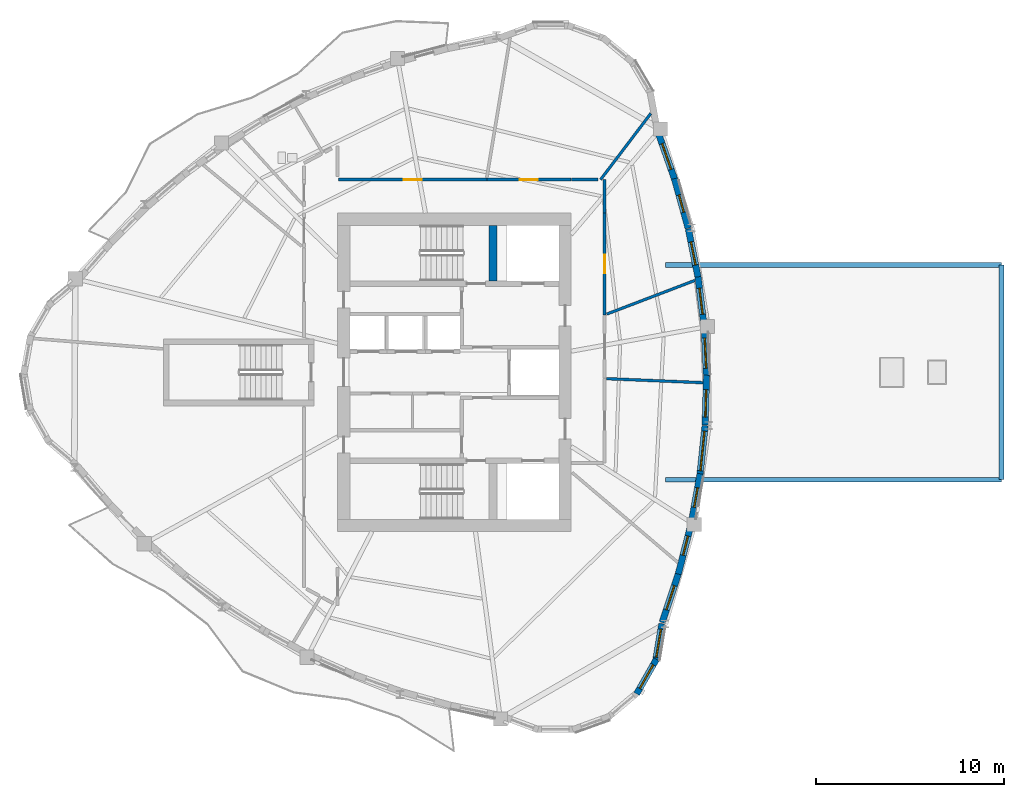
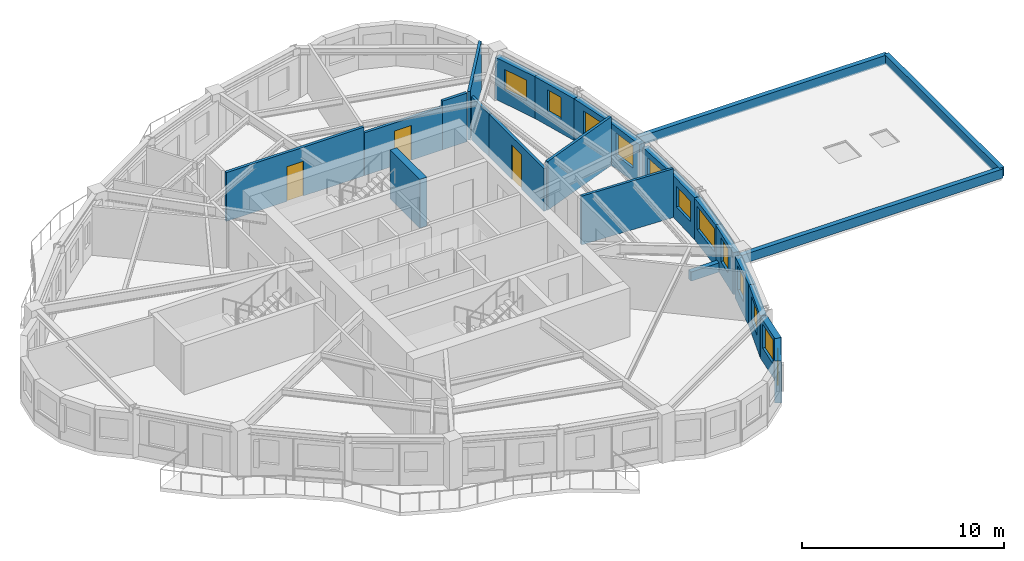
# One storey, part 6 of 11: 24 walls, 12 windows, 3 doors, 15 openings.
"""IFC4 building model written with IfcOpenShell, lengths in metres."""

import ifcopenshell
import ifcopenshell.guid

model = None  # the IFC model being written
_history = None  # IfcOwnerHistory: only IFC2X3 demands one
_inside = {}  # id of a spatial element -> (the spatial element, [elements in it])
_under = {}  # id of a project, library or spatial element -> (it, [spatial elements below it])
_declared = {}  # id of a project -> (the project, [libraries it declares])
_typed = {}  # id of a type object -> (the type object, [elements of that type])
_made_of = {}  # id of a material, layer set ... -> (it, [elements and type objects made of it])


def new_model(schema):
    """Start an empty IFC model of exactly this schema.

    Asked for "IFC4X3", IfcOpenShell would pick the latest addendum, in which some entities
    have other attributes; the version numbers below select the first issue.
    IFC2X3 requires an IfcOwnerHistory on every rooted entity: one is made here for all.
    """
    global model, _history
    if schema == "IFC4X3":
        model = ifcopenshell.file(schema_version=(4, 3, 0, 0))
    else:
        model = ifcopenshell.file(schema=schema)
    _inside.clear()
    _under.clear()
    _declared.clear()
    _typed.clear()
    _made_of.clear()
    _history = None
    if model.schema == "IFC2X3":
        org = make("IfcOrganization", Name="unknown")
        user = make(
            "IfcPersonAndOrganization",
            ThePerson=make("IfcPerson", FamilyName="unknown"),
            TheOrganization=org,
        )
        app = make(
            "IfcApplication",
            ApplicationDeveloper=org,
            Version="unknown",
            ApplicationFullName="unknown",
            ApplicationIdentifier="unknown",
        )
        _history = make(
            "IfcOwnerHistory",
            OwningUser=user,
            OwningApplication=app,
            ChangeAction="ADDED",
            CreationDate=0,
        )
    return model


def make(cls, **values):
    """One entity of the class cls with the attributes given. An attribute that is None is left unset."""
    return model.create_entity(
        cls, **{name: value for name, value in values.items() if value is not None}
    )


def rooted(cls, **values):
    """An entity with a GlobalId (a new one), such as an element, a storey or a relation."""
    return make(cls, GlobalId=ifcopenshell.guid.new(), OwnerHistory=_history, **values)


def si_unit(unit_type, name, prefix=None):
    """IfcSIUnit, for example si_unit("LENGTHUNIT", "METRE", prefix="MILLI")."""
    return make("IfcSIUnit", UnitType=unit_type, Prefix=prefix, Name=name)


def assignment(units):
    """IfcUnitAssignment: the units of a project."""
    return None if units is None else make("IfcUnitAssignment", Units=units)


def point(xyz):
    """IfcCartesianPoint."""
    return None if xyz is None else make("IfcCartesianPoint", Coordinates=xyz)


def direction(xyz):
    """IfcDirection."""
    return None if xyz is None else make("IfcDirection", DirectionRatios=xyz)


def frame(location, z_axis=None, x_axis=None):
    """IfcAxis2Placement3D, a coordinate frame: its origin and axes. An axis left out is left unset."""
    return make(
        "IfcAxis2Placement3D",
        Location=point(location),
        Axis=direction(z_axis),
        RefDirection=direction(x_axis),
    )


def frame_2d(location, x_axis=None):
    """IfcAxis2Placement2D, a coordinate frame in the plane: its origin and x axis."""
    return make(
        "IfcAxis2Placement2D", Location=point(location), RefDirection=direction(x_axis)
    )


def origin():
    """The frame at (0, 0, 0) with its axes left unset."""
    return frame((0.0, 0.0, 0.0))


def place(relative_to, where):
    """IfcLocalPlacement: puts the frame where relative to a parent placement (None: the world)."""
    return make(
        "IfcLocalPlacement", PlacementRelTo=relative_to, RelativePlacement=where
    )


def context(
    kind, dimensions, precision=None, world=None, true_north=None, identifier=None
):
    """IfcGeometricRepresentationContext, for example the 3D "Model" context."""
    return make(
        "IfcGeometricRepresentationContext",
        ContextIdentifier=identifier,
        ContextType=kind,
        CoordinateSpaceDimension=dimensions,
        Precision=precision,
        WorldCoordinateSystem=world,
        TrueNorth=true_north,
    )


def subcontext(parent, identifier, kind, view, scale=None):
    """IfcGeometricRepresentationSubContext, for example "Body" below "Model"."""
    return make(
        "IfcGeometricRepresentationSubContext",
        ContextIdentifier=identifier,
        ContextType=kind,
        ParentContext=parent,
        TargetScale=scale,
        TargetView=view,
    )


def project(units=None, contexts=None):
    """IfcProject with its units and contexts."""
    return rooted(
        "IfcProject",
        Name="project",
        RepresentationContexts=contexts,
        UnitsInContext=assignment(units),
    )


def spatial(cls, under=None, at=None, **own):
    """A site, building, storey or space (cls), placed at a placement, below another one or the project."""
    s = rooted(cls, ObjectPlacement=at, **own)
    if under is not None:
        _under.setdefault(under.id(), (under, []))[1].append(s)
    return s


def profile(cls, at=None, kind="AREA", **sizes):
    """A parametric profile (cls). Its sizes go by their IFC names, for example OverallWidth=200.0."""
    return make(cls, ProfileType=kind, Position=at, **sizes)


def rectangle(**sizes):
    """IfcRectangleProfileDef."""
    return profile("IfcRectangleProfileDef", **sizes)


def extrude(swept, where, along, depth):
    """IfcExtrudedAreaSolid: the profile swept, set in the frame where, extruded along a direction by depth."""
    return make(
        "IfcExtrudedAreaSolid",
        SweptArea=swept,
        Position=where,
        ExtrudedDirection=direction(along),
        Depth=depth,
    )


def shape(context_of_items, identifier, shape_type, items):
    """IfcShapeRepresentation: the items that make up one representation, for example the "Body"."""
    return make(
        "IfcShapeRepresentation",
        ContextOfItems=context_of_items,
        RepresentationIdentifier=identifier,
        RepresentationType=shape_type,
        Items=items,
    )


def source(mapping_origin, context_of_items, identifier, shape_type, items):
    """IfcRepresentationMap: a shape defined once, which mapped items show again and again."""
    return make(
        "IfcRepresentationMap",
        MappingOrigin=mapping_origin,
        MappedRepresentation=shape(context_of_items, identifier, shape_type, items),
    )


def transform(
    local_origin,
    x_axis=None,
    y_axis=None,
    z_axis=None,
    scale=None,
    scale2=None,
    scale3=None,
    uniform=True,
):
    """IfcCartesianTransformationOperator3D, or its non-uniform kind. x_axis, y_axis, z_axis: its Axis1, 2, 3."""
    if uniform:
        return make(
            "IfcCartesianTransformationOperator3D",
            Axis1=direction(x_axis),
            Axis2=direction(y_axis),
            LocalOrigin=point(local_origin),
            Scale=scale,
            Axis3=direction(z_axis),
        )
    return make(
        "IfcCartesianTransformationOperator3DnonUniform",
        Axis1=direction(x_axis),
        Axis2=direction(y_axis),
        LocalOrigin=point(local_origin),
        Scale=scale,
        Axis3=direction(z_axis),
        Scale2=scale2,
        Scale3=scale3,
    )


def mapped(mapping_source, mapping_target):
    """IfcMappedItem: shows the shape of a source again, moved by a transform."""
    return make(
        "IfcMappedItem", MappingSource=mapping_source, MappingTarget=mapping_target
    )


def material(Name=None, Category=None):
    """IfcMaterial."""
    return make("IfcMaterial", Name=Name, Category=Category)


def layer(
    of_material, thickness, ventilated=None, Name=None, Category=None, Priority=None
):
    """IfcMaterialLayer: one layer of a wall or slab, of a material (None: an air gap)."""
    return make(
        "IfcMaterialLayer",
        Material=of_material,
        LayerThickness=thickness,
        IsVentilated=ventilated,
        Name=Name,
        Category=Category,
        Priority=Priority,
    )


def layer_set(layers, Name=None):
    """IfcMaterialLayerSet."""
    return make("IfcMaterialLayerSet", MaterialLayers=layers, LayerSetName=Name)


def made_of(thing, what):
    """Note that an element or type object is made of a material, layer set ...; save() writes the relation."""
    if what is not None:
        _made_of.setdefault(what.id(), (what, []))[1].append(thing)
    return thing


def type_object(cls, material=None, **own):
    """A type object (cls), such as IfcWallType, which elements share."""
    return made_of(rooted(cls, **own), material)


def element(
    cls,
    number,
    at=None,
    inside=None,
    cuts=None,
    type_object=None,
    material=None,
    context=None,
    identifier="Body",
    shape_type=None,
    held_by="IfcProductDefinitionShape",
    body=None,
    shapes=None,
    **own,
):
    """One element of the class cls, such as IfcWall. Its Tag is "e" and its number.

    at: its placement. inside: the storey or other place that contains it. cuts: it is an
    opening in that element (IfcRelVoidsElement). A single representation is given by context,
    identifier, shape_type and body (its items); several are given by shapes. held_by: the class
    of the entity that holds the representations. save() writes the other relations.
    """
    e = rooted(cls, Tag="e%d" % number, ObjectPlacement=at, **own)
    if body is not None:
        shapes = [shape(context, identifier, shape_type, body)]
    if shapes is not None:
        e.Representation = make(held_by, Representations=shapes)
    if inside is not None:
        _inside.setdefault(inside.id(), (inside, []))[1].append(e)
    if cuts is not None:
        rooted(
            "IfcRelVoidsElement", RelatingBuildingElement=cuts, RelatedOpeningElement=e
        )
    if type_object is not None:
        _typed.setdefault(type_object.id(), (type_object, []))[1].append(e)
    return made_of(e, material)


def fill(opening, filler):
    """IfcRelFillsElement: the door or window that sits in an opening."""
    return rooted(
        "IfcRelFillsElement",
        RelatingOpeningElement=opening,
        RelatedBuildingElement=filler,
    )


def aggregate(whole, parts):
    """IfcRelAggregates: a whole, such as a stair, and the parts it consists of."""
    return rooted("IfcRelAggregates", RelatingObject=whole, RelatedObjects=parts)


def save(model, path):
    """Write the relations noted so far, then the file.

    IfcRelAggregates (storeys below a building ...), IfcRelContainedInSpatialStructure (elements
    in a storey), IfcRelDefinesByType, IfcRelAssociatesMaterial and IfcRelDeclares: one each for
    every whole, place, type object, material and project.
    """
    for whole, parts in _under.values():
        aggregate(whole, parts)
    for where, things in _inside.values():
        rooted(
            "IfcRelContainedInSpatialStructure",
            RelatedElements=things,
            RelatingStructure=where,
        )
    for kind, things in _typed.values():
        rooted("IfcRelDefinesByType", RelatedObjects=things, RelatingType=kind)
    for what, things in _made_of.values():
        rooted("IfcRelAssociatesMaterial", RelatedObjects=things, RelatingMaterial=what)
    for by, libraries in _declared.values():
        rooted("IfcRelDeclares", RelatingContext=by, RelatedDefinitions=libraries)
    model.write(path)


model = new_model("IFC4")

# Units and contexts
model_context = context("Model", 3, precision=1e-05, world=origin(), true_north=direction((0.0, 1.0)))
body_context = subcontext(model_context, "Body", "Model", "MODEL_VIEW")
ifc_project = project(units=[si_unit("LENGTHUNIT", "METRE"), si_unit("AREAUNIT", "SQUARE_METRE"), si_unit("VOLUMEUNIT", "CUBIC_METRE"), si_unit("PLANEANGLEUNIT", "RADIAN"), si_unit("MASSUNIT", "GRAM", prefix="KILO")], contexts=[model_context])

# Site, building, storey
site_placement = place(None, origin())
site = spatial("IfcSite", under=ifc_project, at=site_placement, CompositionType="ELEMENT")
building_placement = place(site_placement, origin())
building = spatial("IfcBuilding", under=site, at=building_placement, Name="Qafzar Sky-Pleat Residences", CompositionType="ELEMENT")
storey_placement = place(building_placement, frame((0.0, 0.0, 161.800048828125)))
storey = spatial("IfcBuildingStorey", under=building, at=storey_placement, Name="L48", CompositionType="ELEMENT", Elevation=161.800048828125)

# Wall, opening, door
ifc_material_1 = material(Name="Acoustic gypsum plasterboard partition", Category="gypsum")
ifc_layer_1 = layer(ifc_material_1, 0.159912109375)
ifc_layer_set_1 = layer_set([ifc_layer_1], Name="Acoustic gypsum plasterboard partition")
wall_type_1 = type_object("IfcWallType", Name="PART-COR-160", PredefinedType="PARTITIONING", material=ifc_layer_set_1)
wall_1_placement = place(storey_placement, frame((24.200927734375, 36.22998046875, 0.0), z_axis=(0.0, 0.0, 1.0), x_axis=(1.0, 0.0, 0.0)))
wall_1 = element("IfcWall", 1, at=wall_1_placement, inside=storey, type_object=wall_type_1, Name="L48 Partition Wall PART-L48-PW-002", PredefinedType="PARTITIONING", context=body_context, shape_type="SweptSolid", body=[
    extrude(rectangle(XDim=7.8681640625, YDim=0.159912109375, at=frame_2d((3.93408203125, 0.0))), origin(), (0.0, 0.0, 1.0), 2.949951171875),
])
opening_1_placement = place(wall_1_placement, frame((3.45556640625, 0.0, 0.0)))
opening_1 = element("IfcOpeningElement", 2, at=opening_1_placement, cuts=wall_1, Name="Opening ID-06", PredefinedType="OPENING", context=body_context, shape_type="SweptSolid", body=[
    extrude(rectangle(XDim=0.9599609375, YDim=2.10009765625, at=frame_2d((0.47998046875, 1.050048828125))), frame((0.0, 0.08984375, 0.0), z_axis=(0.0, -1.0, 0.0), x_axis=(1.0, 0.0, 0.0)), (0.0, 0.0, 1.0), 0.179931640625),
])
ifc_material_2 = material(Name="Timber-faced fire door", Category="wood")
door_type = type_object("IfcDoorType", Name="DR-STD-960", OperationType="NOTDEFINED", PredefinedType="DOOR", material=ifc_material_2)
shared_shape_1 = source(origin(), body_context, "Body", "SweptSolid", [
    extrude(rectangle(XDim=0.9599609375, YDim=2.10009765625, at=frame_2d((0.47998046875, 1.050048828125))), frame((0.0, 0.02490234375, 0.0), z_axis=(0.0, -1.0, 0.0), x_axis=(1.0, 0.0, 0.0)), (0.0, 0.0, 1.0), 0.050048828125),
])
door_1_placement = place(opening_1_placement, origin())
door_1 = element("IfcDoor", 3, at=door_1_placement, inside=storey, type_object=door_type, Name="L48 Postdoctoral Admin Office Door", OperationType="SINGLE_SWING_RIGHT", OverallHeight=2.10009765625, OverallWidth=0.9599609375, PredefinedType="DOOR", context=body_context, shape_type="MappedRepresentation", body=[
    mapped(shared_shape_1, transform((0.0, 0.0, 0.0), x_axis=(1.0, 0.0, 0.0), y_axis=(0.0, 1.0, 0.0), z_axis=(0.0, 0.0, 1.0), scale=1.0)),
])
fill(opening_1, door_1)

wall_2_placement = place(storey_placement, frame((38.330078125, 34.449951171875, 0.0), z_axis=(0.0, 0.0, 1.0), x_axis=(0.0, -1.0, 0.0)))
wall_2 = element("IfcWall", 4, at=wall_2_placement, inside=storey, type_object=wall_type_1, Name="L48 Partition Wall PART-L48-PW-003", PredefinedType="PARTITIONING", context=body_context, shape_type="SweptSolid", body=[
    extrude(rectangle(XDim=5.416015625, YDim=0.159912109375, at=frame_2d((2.7080078125, 0.0))), origin(), (0.0, 0.0, 1.0), 2.587890625),
])
opening_2_placement = place(wall_2_placement, frame((2.220458984375, 0.0, 0.0)))
opening_2 = element("IfcOpeningElement", 5, at=opening_2_placement, cuts=wall_2, Name="Opening ID-06", PredefinedType="OPENING", context=body_context, shape_type="SweptSolid", body=[
    extrude(rectangle(XDim=0.9599609375, YDim=2.10009765625, at=frame_2d((0.47998046875, 1.050048828125))), frame((0.0, 0.08984375, 0.0), z_axis=(0.0, -1.0, 0.0), x_axis=(1.0, 0.0, 0.0)), (0.0, 0.0, 1.0), 0.179931640625),
])
door_2_placement = place(opening_2_placement, origin())
door_2 = element("IfcDoor", 6, at=door_2_placement, inside=storey, type_object=door_type, Name="L48 Media Screening Room Door", OperationType="SINGLE_SWING_LEFT", OverallHeight=2.10009765625, OverallWidth=0.9599609375, PredefinedType="DOOR", context=body_context, shape_type="MappedRepresentation", body=[
    mapped(shared_shape_1, transform((0.0, 0.0, 0.0), x_axis=(1.0, 0.0, 0.0), y_axis=(0.0, 1.0, 0.0), z_axis=(0.0, 0.0, 1.0), scale=1.0)),
])
fill(opening_2, door_2)

wall_3_placement = place(storey_placement, frame((32.083984375, 36.22998046875, 0.0), z_axis=(0.0, 0.0, 1.0), x_axis=(1.0, 0.0, 0.0)))
wall_3 = element("IfcWall", 7, at=wall_3_placement, inside=storey, type_object=wall_type_1, Name="L48 Partition Wall PART-L48-PW-006", PredefinedType="PARTITIONING", context=body_context, shape_type="SweptSolid", body=[
    extrude(rectangle(XDim=4.466064453125, YDim=0.159912109375, at=frame_2d((2.23291015625, 0.0))), origin(), (0.0, 0.0, 1.0), 2.587890625),
])
opening_3_placement = place(wall_3_placement, frame((1.738037109375, 0.0, 0.0)))
opening_3 = element("IfcOpeningElement", 8, at=opening_3_placement, cuts=wall_3, Name="Opening ID-06", PredefinedType="OPENING", context=body_context, shape_type="SweptSolid", body=[
    extrude(rectangle(XDim=0.9599609375, YDim=2.10009765625, at=frame_2d((0.47998046875, 1.050048828125))), frame((0.0, 0.08984375, 0.0), z_axis=(0.0, -1.0, 0.0), x_axis=(1.0, 0.0, 0.0)), (0.0, 0.0, 1.0), 0.179931640625),
])
door_3_placement = place(opening_3_placement, origin())
door_3 = element("IfcDoor", 9, at=door_3_placement, inside=storey, type_object=door_type, Name="L48 Reading Library Door", OperationType="SINGLE_SWING_RIGHT", OverallHeight=2.10009765625, OverallWidth=0.9599609375, PredefinedType="DOOR", context=body_context, shape_type="MappedRepresentation", body=[
    mapped(shared_shape_1, transform((0.0, 0.0, 0.0), x_axis=(1.0, 0.0, 0.0), y_axis=(0.0, 1.0, 0.0), z_axis=(0.0, 0.0, 1.0), scale=1.0)),
])
fill(opening_3, door_3)

# Walls
wall_4_placement = place(storey_placement, frame((38.330078125, 34.465087890625, 0.0), z_axis=(0.0, 0.0, 1.0), x_axis=(0.0, 1.0, 0.0)))
element("IfcWall", 10, at=wall_4_placement, inside=storey, type_object=wall_type_1, Name="L48 Partition Wall PART-L48-PW-022", PredefinedType="PARTITIONING", context=body_context, shape_type="SweptSolid", body=[
    extrude(rectangle(XDim=1.764892578125, YDim=0.159912109375, at=frame_2d((0.88232421875, 0.0))), origin(), (0.0, 0.0, 1.0), 2.587890625),
])
wall_5_placement = place(storey_placement, frame((36.56494140625, 36.22998046875, 0.0), z_axis=(0.0, 0.0, 1.0), x_axis=(1.0, 0.0, 0.0)))
element("IfcWall", 11, at=wall_5_placement, inside=storey, type_object=wall_type_1, Name="L48 Partition Wall PART-L48-PW-024", PredefinedType="PARTITIONING", context=body_context, shape_type="SweptSolid", body=[
    extrude(rectangle(XDim=1.40625, YDim=0.159912109375, at=frame_2d((0.703125, 0.0))), origin(), (0.0, 0.0, 1.0), 2.949951171875),
])
ifc_layer_2 = layer(ifc_material_1, 0.14501953125)
ifc_layer_set_2 = layer_set([ifc_layer_2], Name="Acoustic gypsum plasterboard partition")
wall_type_2 = type_object("IfcWallType", Name="PART-UNIT-145", PredefinedType="PARTITIONING", material=ifc_layer_set_2)
wall_6_placement = place(storey_placement, frame((38.4208984375, 25.664306640625, 0.0), z_axis=(0.0, 0.0, 1.0), x_axis=(0.999132413059, -0.041646382499, 0.0)))
element("IfcWall", 12, at=wall_6_placement, inside=storey, type_object=wall_type_2, Name="L48 Partition Wall PART-L48-PW-015", PredefinedType="PARTITIONING", context=body_context, shape_type="SweptSolid", body=[
    extrude(rectangle(XDim=5.12939453125, YDim=0.14501953125, at=frame_2d((2.564697265625, 0.0))), origin(), (0.0, 0.0, 1.0), 2.949951171875),
])
wall_7_placement = place(storey_placement, frame((38.443359375, 29.09228515625, 0.0), z_axis=(0.0, 0.0, 1.0), x_axis=(0.934064302859, 0.357104855923, 0.0)))
element("IfcWall", 13, at=wall_7_placement, inside=storey, type_object=wall_type_2, Name="L48 Partition Wall PART-L48-PW-016", PredefinedType="PARTITIONING", context=body_context, shape_type="SweptSolid", body=[
    extrude(rectangle(XDim=4.994873046875, YDim=0.14501953125, at=frame_2d((2.49755859375, 0.0))), origin(), (0.0, 0.0, 1.0), 2.949951171875),
])
wall_8_placement = place(storey_placement, frame((38.112060546875, 36.22998046875, 0.0), z_axis=(0.0, 0.0, 1.0), x_axis=(0.604495658019, 0.796608435453, 0.0)))
element("IfcWall", 14, at=wall_8_placement, inside=storey, type_object=wall_type_2, Name="L48 Partition Wall PART-L48-PW-018", PredefinedType="PARTITIONING", context=body_context, shape_type="SweptSolid", body=[
    extrude(rectangle(XDim=4.404541015625, YDim=0.14501953125, at=frame_2d((2.2021484375, 0.0))), origin(), (0.0, 0.0, 1.0), 2.949951171875),
])
ifc_material_3 = material(Name="Precast concrete C40/50 with honed Riyadh limestone", Category="concrete")
ifc_layer_3 = layer(ifc_material_3, 0.260009765625)
ifc_layer_set_3 = layer_set([ifc_layer_3], Name="Precast concrete C40/50 with honed Riyadh limestone")
wall_type_3 = type_object("IfcWallType", Name="WALL-EXT-260", PredefinedType="PARAPET", material=ifc_layer_set_3)
wall_9_placement = place(storey_placement, frame((41.550048828125, 20.300048828125, 0.0), z_axis=(0.0, 0.0, 1.0), x_axis=(1.0, 0.0, 0.0)))
element("IfcWall", 15, at=wall_9_placement, inside=storey, type_object=wall_type_3, Name="L48 SB-4 Roof Parapet 1", PredefinedType="PARAPET", context=body_context, shape_type="SweptSolid", body=[
    extrude(rectangle(XDim=17.842529296875, YDim=0.260009765625, at=frame_2d((8.92138671875, 0.0))), origin(), (0.0, 0.0, 1.0), 0.550048828125),
])
wall_10_placement = place(storey_placement, frame((59.392578125, 20.300048828125, 0.0), z_axis=(0.0, 0.0, 1.0), x_axis=(0.0, 1.0, 0.0)))
element("IfcWall", 16, at=wall_10_placement, inside=storey, type_object=wall_type_3, Name="L48 SB-4 Roof Parapet 2", PredefinedType="PARAPET", context=body_context, shape_type="SweptSolid", body=[
    extrude(rectangle(XDim=11.39990234375, YDim=0.260009765625, at=frame_2d((5.699951171875, 0.0))), origin(), (0.0, 0.0, 1.0), 0.550048828125),
])
wall_11_placement = place(storey_placement, frame((59.392578125, 31.699951171875, 0.0), z_axis=(0.0, 0.0, 1.0), x_axis=(-1.0, 0.0, 0.0)))
element("IfcWall", 17, at=wall_11_placement, inside=storey, type_object=wall_type_3, Name="L48 SB-4 Roof Parapet 3", PredefinedType="PARAPET", context=body_context, shape_type="SweptSolid", body=[
    extrude(rectangle(XDim=17.842529296875, YDim=0.260009765625, at=frame_2d((8.92138671875, 0.0))), origin(), (0.0, 0.0, 1.0), 0.550048828125),
])

# Wall, opening, window
ifc_layer_4 = layer(ifc_material_3, 0.340087890625)
ifc_layer_set_4 = layer_set([ifc_layer_4], Name="Precast concrete C40/50 with honed Riyadh limestone")
wall_type_4 = type_object("IfcWallType", Name="WALL-EXT-340", PredefinedType="SOLIDWALL", material=ifc_layer_set_4)
wall_12_placement = place(storey_placement, frame((40.02685546875, 8.934326171875, 0.0), z_axis=(0.0, 0.0, 1.0), x_axis=(0.495852152567, 0.868406956901, 0.0)))
wall_12 = element("IfcWall", 18, at=wall_12_placement, inside=storey, type_object=wall_type_4, Name="L48 Limestone Facade Wall 21", PredefinedType="SOLIDWALL", context=body_context, shape_type="SweptSolid", body=[
    extrude(rectangle(XDim=2.10888671875, YDim=0.340087890625, at=frame_2d((1.054443359375, 0.0))), origin(), (0.0, 0.0, 1.0), 2.530029296875),
])
opening_4_placement = place(wall_12_placement, frame((0.329345703125, 0.0, 0.820068359375)))
opening_4 = element("IfcOpeningElement", 19, at=opening_4_placement, cuts=wall_12, Name="Opening WN-15", PredefinedType="OPENING", context=body_context, shape_type="SweptSolid", body=[
    extrude(rectangle(XDim=1.449951171875, YDim=1.25, at=frame_2d((0.72509765625, 0.625))), frame((0.0, 0.18017578125, 0.0), z_axis=(0.0, -1.0, 0.0), x_axis=(1.0, 0.0, 0.0)), (0.0, 0.0, 1.0), 0.360107421875),
])
ifc_material_4 = material(Name="Solar-control low-E glass in bronze aluminium frame", Category="glass")
window_type_1 = type_object("IfcWindowType", Name="WIN-15", PartitioningType="SINGLE_PANEL", PredefinedType="WINDOW", material=ifc_material_4)
shared_shape_2 = source(origin(), body_context, "Body", "SweptSolid", [
    extrude(rectangle(XDim=1.449951171875, YDim=1.25, at=frame_2d((0.72509765625, 0.625))), frame((0.0, 0.030029296875, 0.0), z_axis=(0.0, -1.0, 0.0), x_axis=(1.0, 0.0, 0.0)), (0.0, 0.0, 1.0), 0.06005859375),
])
window_1_placement = place(opening_4_placement, origin())
window_1 = element("IfcWindow", 20, at=window_1_placement, inside=storey, type_object=window_type_1, Name="L48 Punched Facade Window 21", OverallHeight=1.25, OverallWidth=1.449951171875, PartitioningType="SINGLE_PANEL", PredefinedType="WINDOW", context=body_context, shape_type="MappedRepresentation", body=[
    mapped(shared_shape_2, transform((0.0, 0.0, 0.0), x_axis=(1.0, 0.0, 0.0), y_axis=(0.0, 1.0, 0.0), z_axis=(0.0, 0.0, 1.0), scale=1.0)),
])
fill(opening_4, window_1)

wall_13_placement = place(storey_placement, frame((41.02734375, 10.63916015625, 0.0), z_axis=(0.0, 0.0, 1.0), x_axis=(0.165595781399, 0.986193711794, 0.0)))
wall_13 = element("IfcWall", 21, at=wall_13_placement, inside=storey, type_object=wall_type_4, Name="L48 Limestone Facade Wall 22", PredefinedType="SOLIDWALL", context=body_context, shape_type="SweptSolid", body=[
    extrude(rectangle(XDim=2.05078125, YDim=0.340087890625, at=frame_2d((1.025390625, 0.0))), origin(), (0.0, 0.0, 1.0), 2.530029296875),
])
opening_5_placement = place(wall_13_placement, frame((0.245361328125, 0.0, 0.820068359375)))
opening_5 = element("IfcOpeningElement", 22, at=opening_5_placement, cuts=wall_13, Name="Opening WN-03", PredefinedType="OPENING", context=body_context, shape_type="SweptSolid", body=[
    extrude(rectangle(XDim=1.5, YDim=1.449951171875, at=frame_2d((0.75, 0.72509765625))), frame((0.0, 0.18017578125, 0.0), z_axis=(0.0, -1.0, 0.0), x_axis=(1.0, 0.0, 0.0)), (0.0, 0.0, 1.0), 0.360107421875),
])
window_type_2 = type_object("IfcWindowType", Name="WIN-03", PartitioningType="DOUBLE_PANEL_VERTICAL", PredefinedType="WINDOW", material=ifc_material_4)
shared_shape_3 = source(origin(), body_context, "Body", "SweptSolid", [
    extrude(rectangle(XDim=1.5, YDim=1.449951171875, at=frame_2d((0.75, 0.72509765625))), frame((0.0, 0.030029296875, 0.0), z_axis=(0.0, -1.0, 0.0), x_axis=(1.0, 0.0, 0.0)), (0.0, 0.0, 1.0), 0.06005859375),
])
window_2_placement = place(opening_5_placement, origin())
window_2 = element("IfcWindow", 23, at=window_2_placement, inside=storey, type_object=window_type_2, Name="L48 Punched Facade Window 22", OverallHeight=1.449951171875, OverallWidth=1.5, PartitioningType="SINGLE_PANEL", PredefinedType="WINDOW", context=body_context, shape_type="MappedRepresentation", body=[
    mapped(shared_shape_3, transform((0.0, 0.0, 0.0), x_axis=(1.0, 0.0, 0.0), y_axis=(0.0, 1.0, 0.0), z_axis=(0.0, 0.0, 1.0), scale=1.0)),
])
fill(opening_5, window_2)

wall_14_placement = place(storey_placement, frame((41.3828125, 12.7255859375, 0.0), z_axis=(0.0, 0.0, 1.0), x_axis=(0.314443872574, 0.949276066801, 0.0)))
wall_14 = element("IfcWall", 24, at=wall_14_placement, inside=storey, type_object=wall_type_4, Name="L48 Limestone Facade Wall 23", PredefinedType="SOLIDWALL", context=body_context, shape_type="SweptSolid", body=[
    extrude(rectangle(XDim=2.792724609375, YDim=0.340087890625, at=frame_2d((1.396484375, 0.0))), origin(), (0.0, 0.0, 1.0), 2.530029296875),
])
opening_6_placement = place(wall_14_placement, frame((0.71142578125, 0.0, 0.820068359375)))
opening_6 = element("IfcOpeningElement", 25, at=opening_6_placement, cuts=wall_14, Name="Opening WN-04", PredefinedType="OPENING", context=body_context, shape_type="SweptSolid", body=[
    extrude(rectangle(XDim=1.35009765625, YDim=1.449951171875, at=frame_2d((0.675048828125, 0.72509765625))), frame((0.0, 0.18017578125, 0.0), z_axis=(0.0, -1.0, 0.0), x_axis=(1.0, 0.0, 0.0)), (0.0, 0.0, 1.0), 0.360107421875),
])
window_type_3 = type_object("IfcWindowType", Name="WIN-04", PartitioningType="SINGLE_PANEL", PredefinedType="WINDOW", material=ifc_material_4)
shared_shape_4 = source(origin(), body_context, "Body", "SweptSolid", [
    extrude(rectangle(XDim=1.35009765625, YDim=1.449951171875, at=frame_2d((0.675048828125, 0.72509765625))), frame((0.0, 0.030029296875, 0.0), z_axis=(0.0, -1.0, 0.0), x_axis=(1.0, 0.0, 0.0)), (0.0, 0.0, 1.0), 0.06005859375),
])
window_3_placement = place(opening_6_placement, origin())
window_3 = element("IfcWindow", 26, at=window_3_placement, inside=storey, type_object=window_type_3, Name="L48 Punched Facade Window 23", OverallHeight=1.449951171875, OverallWidth=1.35009765625, PartitioningType="SINGLE_PANEL", PredefinedType="WINDOW", context=body_context, shape_type="MappedRepresentation", body=[
    mapped(shared_shape_4, transform((0.0, 0.0, 0.0), x_axis=(1.0, 0.0, 0.0), y_axis=(0.0, 1.0, 0.0), z_axis=(0.0, 0.0, 1.0), scale=1.0)),
])
fill(opening_6, window_3)

wall_15_placement = place(storey_placement, frame((42.236328125, 15.29248046875, 0.0), z_axis=(0.0, 0.0, 1.0), x_axis=(0.24772461275, 0.968830488908, 0.0)))
wall_15 = element("IfcWall", 27, at=wall_15_placement, inside=storey, type_object=wall_type_4, Name="L48 Limestone Facade Wall 24", PredefinedType="SOLIDWALL", context=body_context, shape_type="SweptSolid", body=[
    extrude(rectangle(XDim=2.599853515625, YDim=0.340087890625, at=frame_2d((1.2998046875, 0.0))), origin(), (0.0, 0.0, 1.0), 2.530029296875),
])
opening_7_placement = place(wall_15_placement, frame((1.03271484375, 0.0, 0.820068359375)))
opening_7 = element("IfcOpeningElement", 28, at=opening_7_placement, cuts=wall_15, Name="Opening WN-06", PredefinedType="OPENING", context=body_context, shape_type="SweptSolid", body=[
    extrude(rectangle(XDim=1.050048828125, YDim=1.449951171875, at=frame_2d((0.52490234375, 0.72509765625))), frame((0.0, 0.18017578125, 0.0), z_axis=(0.0, -1.0, 0.0), x_axis=(1.0, 0.0, 0.0)), (0.0, 0.0, 1.0), 0.360107421875),
])
window_type_4 = type_object("IfcWindowType", Name="WIN-06", PartitioningType="SINGLE_PANEL", PredefinedType="WINDOW", material=ifc_material_4)
shared_shape_5 = source(origin(), body_context, "Body", "SweptSolid", [
    extrude(rectangle(XDim=1.050048828125, YDim=1.449951171875, at=frame_2d((0.52490234375, 0.72509765625))), frame((0.0, 0.030029296875, 0.0), z_axis=(0.0, -1.0, 0.0), x_axis=(1.0, 0.0, 0.0)), (0.0, 0.0, 1.0), 0.06005859375),
])
window_4_placement = place(opening_7_placement, origin())
window_4 = element("IfcWindow", 29, at=window_4_placement, inside=storey, type_object=window_type_4, Name="L48 Punched Facade Window 24-2", OverallHeight=1.449951171875, OverallWidth=1.050048828125, PartitioningType="SINGLE_PANEL", PredefinedType="WINDOW", context=body_context, shape_type="MappedRepresentation", body=[
    mapped(shared_shape_5, transform((0.0, 0.0, 0.0), x_axis=(1.0, 0.0, 0.0), y_axis=(0.0, 1.0, 0.0), z_axis=(0.0, 0.0, 1.0), scale=1.0)),
])
fill(opening_7, window_4)

wall_16_placement = place(storey_placement, frame((42.943603515625, 18.10205078125, 0.0), z_axis=(0.0, 0.0, 1.0), x_axis=(0.177119685378, 0.98418931972, 0.0)))
wall_16 = element("IfcWall", 30, at=wall_16_placement, inside=storey, type_object=wall_type_4, Name="L48 Limestone Facade Wall 25", PredefinedType="SOLIDWALL", context=body_context, shape_type="SweptSolid", body=[
    extrude(rectangle(XDim=2.555419921875, YDim=0.340087890625, at=frame_2d((1.27783203125, 0.0))), origin(), (0.0, 0.0, 1.0), 2.530029296875),
])
opening_8_placement = place(wall_16_placement, frame((0.747802734375, 0.0, 0.820068359375)))
opening_8 = element("IfcOpeningElement", 31, at=opening_8_placement, cuts=wall_16, Name="Opening WN-06", PredefinedType="OPENING", context=body_context, shape_type="SweptSolid", body=[
    extrude(rectangle(XDim=1.050048828125, YDim=1.449951171875, at=frame_2d((0.52490234375, 0.72509765625))), frame((0.0, 0.18017578125, 0.0), z_axis=(0.0, -1.0, 0.0), x_axis=(1.0, 0.0, 0.0)), (0.0, 0.0, 1.0), 0.360107421875),
])
window_5_placement = place(opening_8_placement, origin())
window_5 = element("IfcWindow", 32, at=window_5_placement, inside=storey, type_object=window_type_4, Name="L48 Punched Facade Window 25", OverallHeight=1.449951171875, OverallWidth=1.050048828125, PartitioningType="SINGLE_PANEL", PredefinedType="WINDOW", context=body_context, shape_type="MappedRepresentation", body=[
    mapped(shared_shape_5, transform((0.0, 0.0, 0.0), x_axis=(1.0, 0.0, 0.0), y_axis=(0.0, 1.0, 0.0), z_axis=(0.0, 0.0, 1.0), scale=1.0)),
])
fill(opening_8, window_5)

wall_17_placement = place(storey_placement, frame((43.3837890625, 20.529541015625, 0.0), z_axis=(0.0, 0.0, 1.0), x_axis=(0.103600410634, 0.994618999877, 0.0)))
wall_17 = element("IfcWall", 33, at=wall_17_placement, inside=storey, type_object=wall_type_4, Name="L48 Limestone Facade Wall 26", PredefinedType="SOLIDWALL", context=body_context, shape_type="SweptSolid", body=[
    extrude(rectangle(XDim=2.66064453125, YDim=0.340087890625, at=frame_2d((1.330322265625, 0.0))), origin(), (0.0, 0.0, 1.0), 2.530029296875),
])
opening_9_placement = place(wall_17_placement, frame((0.250244140625, 0.0, 0.820068359375)))
opening_9 = element("IfcOpeningElement", 34, at=opening_9_placement, cuts=wall_17, Name="Opening WN-07", PredefinedType="OPENING", context=body_context, shape_type="SweptSolid", body=[
    extrude(rectangle(XDim=2.10009765625, YDim=1.39990234375, at=frame_2d((1.050048828125, 0.699951171875))), frame((0.0, 0.18017578125, 0.0), z_axis=(0.0, -1.0, 0.0), x_axis=(1.0, 0.0, 0.0)), (0.0, 0.0, 1.0), 0.360107421875),
])
window_type_5 = type_object("IfcWindowType", Name="WIN-07", PartitioningType="DOUBLE_PANEL_VERTICAL", PredefinedType="WINDOW", material=ifc_material_4)
shared_shape_6 = source(origin(), body_context, "Body", "SweptSolid", [
    extrude(rectangle(XDim=2.10009765625, YDim=1.39990234375, at=frame_2d((1.050048828125, 0.699951171875))), frame((0.0, 0.030029296875, 0.0), z_axis=(0.0, -1.0, 0.0), x_axis=(1.0, 0.0, 0.0)), (0.0, 0.0, 1.0), 0.06005859375),
])
window_6_placement = place(opening_9_placement, origin())
window_6 = element("IfcWindow", 35, at=window_6_placement, inside=storey, type_object=window_type_5, Name="L48 Punched Facade Window 26", OverallHeight=1.39990234375, OverallWidth=2.10009765625, PartitioningType="SINGLE_PANEL", PredefinedType="WINDOW", context=body_context, shape_type="MappedRepresentation", body=[
    mapped(shared_shape_6, transform((0.0, 0.0, 0.0), x_axis=(1.0, 0.0, 0.0), y_axis=(0.0, 1.0, 0.0), z_axis=(0.0, 0.0, 1.0), scale=1.0)),
])
fill(opening_9, window_6)

wall_18_placement = place(storey_placement, frame((43.661376953125, 23.202880859375, 0.0), z_axis=(0.0, 0.0, 1.0), x_axis=(0.028240970376, 0.999601144253, 0.0)))
wall_18 = element("IfcWall", 36, at=wall_18_placement, inside=storey, type_object=wall_type_4, Name="L48 Limestone Facade Wall 27", PredefinedType="SOLIDWALL", context=body_context, shape_type="SweptSolid", body=[
    extrude(rectangle(XDim=2.645263671875, YDim=0.340087890625, at=frame_2d((1.32275390625, 0.0))), origin(), (0.0, 0.0, 1.0), 2.530029296875),
])
opening_10_placement = place(wall_18_placement, frame((0.4267578125, 0.0, 0.820068359375)))
opening_10 = element("IfcOpeningElement", 37, at=opening_10_placement, cuts=wall_18, Name="Opening WN-15", PredefinedType="OPENING", context=body_context, shape_type="SweptSolid", body=[
    extrude(rectangle(XDim=1.449951171875, YDim=1.25, at=frame_2d((0.72509765625, 0.625))), frame((0.0, 0.18017578125, 0.0), z_axis=(0.0, -1.0, 0.0), x_axis=(1.0, 0.0, 0.0)), (0.0, 0.0, 1.0), 0.360107421875),
])
window_7_placement = place(opening_10_placement, origin())
window_7 = element("IfcWindow", 38, at=window_7_placement, inside=storey, type_object=window_type_1, Name="L48 Punched Facade Window 27", OverallHeight=1.25, OverallWidth=1.449951171875, PartitioningType="SINGLE_PANEL", PredefinedType="WINDOW", context=body_context, shape_type="MappedRepresentation", body=[
    mapped(shared_shape_2, transform((0.0, 0.0, 0.0), x_axis=(1.0, 0.0, 0.0), y_axis=(0.0, 1.0, 0.0), z_axis=(0.0, 0.0, 1.0), scale=1.0)),
])
fill(opening_10, window_7)

wall_19_placement = place(storey_placement, frame((43.737060546875, 25.75830078125, 0.0), z_axis=(0.0, 0.0, 1.0), x_axis=(-0.047648310491, 0.998864174204, 0.0)))
wall_19 = element("IfcWall", 39, at=wall_19_placement, inside=storey, type_object=wall_type_4, Name="L48 Limestone Facade Wall 28", PredefinedType="SOLIDWALL", context=body_context, shape_type="SweptSolid", body=[
    extrude(rectangle(XDim=2.5107421875, YDim=0.340087890625, at=frame_2d((1.25537109375, 0.0))), origin(), (0.0, 0.0, 1.0), 2.530029296875),
])
opening_11_placement = place(wall_19_placement, frame((0.460205078125, 0.0, 0.820068359375)))
opening_11 = element("IfcOpeningElement", 40, at=opening_11_placement, cuts=wall_19, Name="Opening WN-09", PredefinedType="OPENING", context=body_context, shape_type="SweptSolid", body=[
    extrude(rectangle(XDim=1.60009765625, YDim=1.35009765625, at=frame_2d((0.800048828125, 0.675048828125))), frame((0.0, 0.18017578125, 0.0), z_axis=(0.0, -1.0, 0.0), x_axis=(1.0, 0.0, 0.0)), (0.0, 0.0, 1.0), 0.360107421875),
])
window_type_6 = type_object("IfcWindowType", Name="WIN-09", PartitioningType="DOUBLE_PANEL_VERTICAL", PredefinedType="WINDOW", material=ifc_material_4)
shared_shape_7 = source(origin(), body_context, "Body", "SweptSolid", [
    extrude(rectangle(XDim=1.60009765625, YDim=1.35009765625, at=frame_2d((0.800048828125, 0.675048828125))), frame((0.0, 0.030029296875, 0.0), z_axis=(0.0, -1.0, 0.0), x_axis=(1.0, 0.0, 0.0)), (0.0, 0.0, 1.0), 0.06005859375),
])
window_8_placement = place(opening_11_placement, origin())
window_8 = element("IfcWindow", 41, at=window_8_placement, inside=storey, type_object=window_type_6, Name="L48 Punched Facade Window 28", OverallHeight=1.35009765625, OverallWidth=1.60009765625, PartitioningType="SINGLE_PANEL", PredefinedType="WINDOW", context=body_context, shape_type="MappedRepresentation", body=[
    mapped(shared_shape_7, transform((0.0, 0.0, 0.0), x_axis=(1.0, 0.0, 0.0), y_axis=(0.0, 1.0, 0.0), z_axis=(0.0, 0.0, 1.0), scale=1.0)),
])
fill(opening_11, window_8)

wall_20_placement = place(storey_placement, frame((43.592041015625, 28.561767578125, 0.0), z_axis=(0.0, 0.0, 1.0), x_axis=(-0.122868649786, 0.992422941542, 0.0)))
wall_20 = element("IfcWall", 42, at=wall_20_placement, inside=storey, type_object=wall_type_4, Name="L48 Limestone Facade Wall 29", PredefinedType="SOLIDWALL", context=body_context, shape_type="SweptSolid", body=[
    extrude(rectangle(XDim=2.525390625, YDim=0.340087890625, at=frame_2d((1.2626953125, 0.0))), origin(), (0.0, 0.0, 1.0), 2.530029296875),
])
opening_12_placement = place(wall_20_placement, frame((0.51708984375, 0.0, 0.820068359375)))
opening_12 = element("IfcOpeningElement", 43, at=opening_12_placement, cuts=wall_20, Name="Opening WN-10", PredefinedType="OPENING", context=body_context, shape_type="SweptSolid", body=[
    extrude(rectangle(XDim=1.39990234375, YDim=1.35009765625, at=frame_2d((0.699951171875, 0.675048828125))), frame((0.0, 0.18017578125, 0.0), z_axis=(0.0, -1.0, 0.0), x_axis=(1.0, 0.0, 0.0)), (0.0, 0.0, 1.0), 0.360107421875),
])
window_type_7 = type_object("IfcWindowType", Name="WIN-10", PartitioningType="SINGLE_PANEL", PredefinedType="WINDOW", material=ifc_material_4)
shared_shape_8 = source(origin(), body_context, "Body", "SweptSolid", [
    extrude(rectangle(XDim=1.39990234375, YDim=1.35009765625, at=frame_2d((0.699951171875, 0.675048828125))), frame((0.0, 0.030029296875, 0.0), z_axis=(0.0, -1.0, 0.0), x_axis=(1.0, 0.0, 0.0)), (0.0, 0.0, 1.0), 0.06005859375),
])
window_9_placement = place(opening_12_placement, origin())
window_9 = element("IfcWindow", 44, at=window_9_placement, inside=storey, type_object=window_type_7, Name="L48 Punched Facade Window 29", OverallHeight=1.35009765625, OverallWidth=1.39990234375, PartitioningType="SINGLE_PANEL", PredefinedType="WINDOW", context=body_context, shape_type="MappedRepresentation", body=[
    mapped(shared_shape_8, transform((0.0, 0.0, 0.0), x_axis=(1.0, 0.0, 0.0), y_axis=(0.0, 1.0, 0.0), z_axis=(0.0, 0.0, 1.0), scale=1.0)),
])
fill(opening_12, window_9)

wall_21_placement = place(storey_placement, frame((43.2958984375, 30.980712890625, 0.0), z_axis=(0.0, 0.0, 1.0), x_axis=(-0.196185936796, 0.980566712776, 0.0)))
wall_21 = element("IfcWall", 45, at=wall_21_placement, inside=storey, type_object=wall_type_4, Name="L48 Limestone Facade Wall 30", PredefinedType="SOLIDWALL", context=body_context, shape_type="SweptSolid", body=[
    extrude(rectangle(XDim=2.6904296875, YDim=0.340087890625, at=frame_2d((1.34521484375, 0.0))), origin(), (0.0, 0.0, 1.0), 2.530029296875),
])
opening_13_placement = place(wall_21_placement, frame((0.730224609375, 0.0, 0.820068359375)))
opening_13 = element("IfcOpeningElement", 46, at=opening_13_placement, cuts=wall_21, Name="Opening WN-11", PredefinedType="OPENING", context=body_context, shape_type="SweptSolid", body=[
    extrude(rectangle(XDim=1.25, YDim=1.35009765625, at=frame_2d((0.625, 0.675048828125))), frame((0.0, 0.18017578125, 0.0), z_axis=(0.0, -1.0, 0.0), x_axis=(1.0, 0.0, 0.0)), (0.0, 0.0, 1.0), 0.360107421875),
])
window_type_8 = type_object("IfcWindowType", Name="WIN-11", PartitioningType="SINGLE_PANEL", PredefinedType="WINDOW", material=ifc_material_4)
shared_shape_9 = source(origin(), body_context, "Body", "SweptSolid", [
    extrude(rectangle(XDim=1.25, YDim=1.35009765625, at=frame_2d((0.625, 0.675048828125))), frame((0.0, 0.030029296875, 0.0), z_axis=(0.0, -1.0, 0.0), x_axis=(1.0, 0.0, 0.0)), (0.0, 0.0, 1.0), 0.06005859375),
])
window_10_placement = place(opening_13_placement, origin())
window_10 = element("IfcWindow", 47, at=window_10_placement, inside=storey, type_object=window_type_8, Name="L48 Punched Facade Window 30", OverallHeight=1.35009765625, OverallWidth=1.25, PartitioningType="SINGLE_PANEL", PredefinedType="WINDOW", context=body_context, shape_type="MappedRepresentation", body=[
    mapped(shared_shape_9, transform((0.0, 0.0, 0.0), x_axis=(1.0, 0.0, 0.0), y_axis=(0.0, 1.0, 0.0), z_axis=(0.0, 0.0, 1.0), scale=1.0)),
])
fill(opening_13, window_10)

wall_22_placement = place(storey_placement, frame((42.76171875, 33.64599609375, 0.0), z_axis=(0.0, 0.0, 1.0), x_axis=(-0.266469604257, 0.963843322334, 0.0)))
wall_22 = element("IfcWall", 48, at=wall_22_placement, inside=storey, type_object=wall_type_4, Name="L48 Limestone Facade Wall 31", PredefinedType="SOLIDWALL", context=body_context, shape_type="SweptSolid", body=[
    extrude(rectangle(XDim=2.73486328125, YDim=0.340087890625, at=frame_2d((1.367431640625, 0.0))), origin(), (0.0, 0.0, 1.0), 2.530029296875),
])
opening_14_placement = place(wall_22_placement, frame((0.88232421875, 0.0, 0.820068359375)))
opening_14 = element("IfcOpeningElement", 49, at=opening_14_placement, cuts=wall_22, Name="Opening WN-12", PredefinedType="OPENING", context=body_context, shape_type="SweptSolid", body=[
    extrude(rectangle(XDim=0.949951171875, YDim=1.35009765625, at=frame_2d((0.47509765625, 0.675048828125))), frame((0.0, 0.18017578125, 0.0), z_axis=(0.0, -1.0, 0.0), x_axis=(1.0, 0.0, 0.0)), (0.0, 0.0, 1.0), 0.360107421875),
])
window_type_9 = type_object("IfcWindowType", Name="WIN-12", PartitioningType="SINGLE_PANEL", PredefinedType="WINDOW", material=ifc_material_4)
shared_shape_10 = source(origin(), body_context, "Body", "SweptSolid", [
    extrude(rectangle(XDim=0.949951171875, YDim=1.35009765625, at=frame_2d((0.47509765625, 0.675048828125))), frame((0.0, 0.030029296875, 0.0), z_axis=(0.0, -1.0, 0.0), x_axis=(1.0, 0.0, 0.0)), (0.0, 0.0, 1.0), 0.06005859375),
])
window_11_placement = place(opening_14_placement, origin())
window_11 = element("IfcWindow", 50, at=window_11_placement, inside=storey, type_object=window_type_9, Name="L48 Punched Facade Window 31", OverallHeight=1.35009765625, OverallWidth=0.949951171875, PartitioningType="SINGLE_PANEL", PredefinedType="WINDOW", context=body_context, shape_type="MappedRepresentation", body=[
    mapped(shared_shape_10, transform((0.0, 0.0, 0.0), x_axis=(1.0, 0.0, 0.0), y_axis=(0.0, 1.0, 0.0), z_axis=(0.0, 0.0, 1.0), scale=1.0)),
])
fill(opening_14, window_11)

wall_23_placement = place(storey_placement, frame((42.059326171875, 36.1982421875, 0.0), z_axis=(0.0, 0.0, 1.0), x_axis=(-0.332714406781, 0.943027636668, 0.0)))
wall_23 = element("IfcWall", 51, at=wall_23_placement, inside=storey, type_object=wall_type_4, Name="L48 Limestone Facade Wall 32", PredefinedType="SOLIDWALL", context=body_context, shape_type="SweptSolid", body=[
    extrude(rectangle(XDim=2.65771484375, YDim=0.340087890625, at=frame_2d((1.328857421875, 0.0))), origin(), (0.0, 0.0, 1.0), 2.530029296875),
])
opening_15_placement = place(wall_23_placement, frame((0.60888671875, 0.0, 0.820068359375)))
opening_15 = element("IfcOpeningElement", 52, at=opening_15_placement, cuts=wall_23, Name="Opening WN-15", PredefinedType="OPENING", context=body_context, shape_type="SweptSolid", body=[
    extrude(rectangle(XDim=1.449951171875, YDim=1.25, at=frame_2d((0.72509765625, 0.625))), frame((0.0, 0.18017578125, 0.0), z_axis=(0.0, -1.0, 0.0), x_axis=(1.0, 0.0, 0.0)), (0.0, 0.0, 1.0), 0.360107421875),
])
window_12_placement = place(opening_15_placement, origin())
window_12 = element("IfcWindow", 53, at=window_12_placement, inside=storey, type_object=window_type_1, Name="L48 Punched Facade Window 32", OverallHeight=1.25, OverallWidth=1.449951171875, PartitioningType="SINGLE_PANEL", PredefinedType="WINDOW", context=body_context, shape_type="MappedRepresentation", body=[
    mapped(shared_shape_2, transform((0.0, 0.0, 0.0), x_axis=(1.0, 0.0, 0.0), y_axis=(0.0, 1.0, 0.0), z_axis=(0.0, 0.0, 1.0), scale=1.0)),
])
fill(opening_15, window_12)

# Wall
ifc_material_5 = material(Name="Concrete C60/75", Category="concrete")
ifc_layer_5 = layer(ifc_material_5, 0.39990234375)
ifc_layer_set_5 = layer_set([ifc_layer_5], Name="Concrete C60/75")
wall_type_5 = type_object("IfcWallType", Name="WALL-SHEAR-400", PredefinedType="SHEAR", material=ifc_layer_set_5)
wall_24_placement = place(storey_placement, frame((32.39990234375, 30.85009765625, 0.0), z_axis=(0.0, 0.0, 1.0), x_axis=(0.0, 1.0, 0.0)))
element("IfcWall", 54, at=wall_24_placement, inside=storey, type_object=wall_type_5, Name="L48 Stair ST2 East Dividing Wall", PredefinedType="SHEAR", context=body_context, shape_type="SweptSolid", body=[
    extrude(rectangle(XDim=2.949951171875, YDim=0.39990234375, at=frame_2d((1.47509765625, 0.0))), origin(), (0.0, 0.0, 1.0), 2.949951171875),
])

save(model, "model.ifc")
